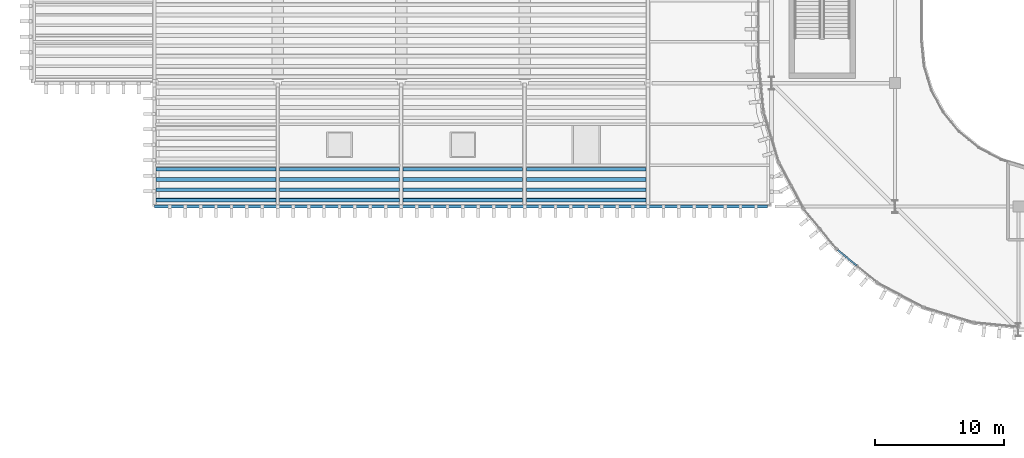
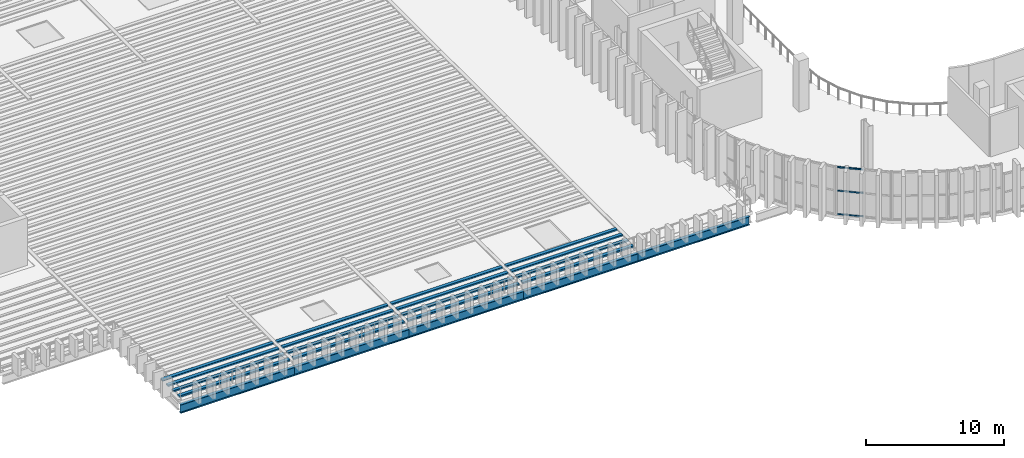
# One storey, part 6 of 92: 19 members, 5 beams, 1 element without a shape of its own.
"""IFC4 building model written with IfcOpenShell, lengths in metres."""

import ifcopenshell
import ifcopenshell.guid

model = None  # the IFC model being written
_history = None  # IfcOwnerHistory: only IFC2X3 demands one
_inside = {}  # id of a spatial element -> (the spatial element, [elements in it])
_under = {}  # id of a project, library or spatial element -> (it, [spatial elements below it])
_declared = {}  # id of a project -> (the project, [libraries it declares])
_typed = {}  # id of a type object -> (the type object, [elements of that type])
_made_of = {}  # id of a material, layer set ... -> (it, [elements and type objects made of it])


def new_model(schema):
    """Start an empty IFC model of exactly this schema.

    Asked for "IFC4X3", IfcOpenShell would pick the latest addendum, in which some entities
    have other attributes; the version numbers below select the first issue.
    IFC2X3 requires an IfcOwnerHistory on every rooted entity: one is made here for all.
    """
    global model, _history
    if schema == "IFC4X3":
        model = ifcopenshell.file(schema_version=(4, 3, 0, 0))
    else:
        model = ifcopenshell.file(schema=schema)
    _inside.clear()
    _under.clear()
    _declared.clear()
    _typed.clear()
    _made_of.clear()
    _history = None
    if model.schema == "IFC2X3":
        org = make("IfcOrganization", Name="unknown")
        user = make(
            "IfcPersonAndOrganization",
            ThePerson=make("IfcPerson", FamilyName="unknown"),
            TheOrganization=org,
        )
        app = make(
            "IfcApplication",
            ApplicationDeveloper=org,
            Version="unknown",
            ApplicationFullName="unknown",
            ApplicationIdentifier="unknown",
        )
        _history = make(
            "IfcOwnerHistory",
            OwningUser=user,
            OwningApplication=app,
            ChangeAction="ADDED",
            CreationDate=0,
        )
    return model


def make(cls, **values):
    """One entity of the class cls with the attributes given. An attribute that is None is left unset."""
    return model.create_entity(
        cls, **{name: value for name, value in values.items() if value is not None}
    )


def rooted(cls, **values):
    """An entity with a GlobalId (a new one), such as an element, a storey or a relation."""
    return make(cls, GlobalId=ifcopenshell.guid.new(), OwnerHistory=_history, **values)


def si_unit(unit_type, name, prefix=None):
    """IfcSIUnit, for example si_unit("LENGTHUNIT", "METRE", prefix="MILLI")."""
    return make("IfcSIUnit", UnitType=unit_type, Prefix=prefix, Name=name)


def assignment(units):
    """IfcUnitAssignment: the units of a project."""
    return None if units is None else make("IfcUnitAssignment", Units=units)


def point(xyz):
    """IfcCartesianPoint."""
    return None if xyz is None else make("IfcCartesianPoint", Coordinates=xyz)


def direction(xyz):
    """IfcDirection."""
    return None if xyz is None else make("IfcDirection", DirectionRatios=xyz)


def frame(location, z_axis=None, x_axis=None):
    """IfcAxis2Placement3D, a coordinate frame: its origin and axes. An axis left out is left unset."""
    return make(
        "IfcAxis2Placement3D",
        Location=point(location),
        Axis=direction(z_axis),
        RefDirection=direction(x_axis),
    )


def frame_2d(location, x_axis=None):
    """IfcAxis2Placement2D, a coordinate frame in the plane: its origin and x axis."""
    return make(
        "IfcAxis2Placement2D", Location=point(location), RefDirection=direction(x_axis)
    )


def origin():
    """The frame at (0, 0, 0) with its axes left unset."""
    return frame((0.0, 0.0, 0.0))


def origin_2d():
    """The frame at (0, 0) in the plane with its x axis left unset."""
    return frame_2d((0.0, 0.0))


def place(relative_to, where):
    """IfcLocalPlacement: puts the frame where relative to a parent placement (None: the world)."""
    return make(
        "IfcLocalPlacement", PlacementRelTo=relative_to, RelativePlacement=where
    )


def context(
    kind, dimensions, precision=None, world=None, true_north=None, identifier=None
):
    """IfcGeometricRepresentationContext, for example the 3D "Model" context."""
    return make(
        "IfcGeometricRepresentationContext",
        ContextIdentifier=identifier,
        ContextType=kind,
        CoordinateSpaceDimension=dimensions,
        Precision=precision,
        WorldCoordinateSystem=world,
        TrueNorth=true_north,
    )


def subcontext(parent, identifier, kind, view, scale=None):
    """IfcGeometricRepresentationSubContext, for example "Body" below "Model"."""
    return make(
        "IfcGeometricRepresentationSubContext",
        ContextIdentifier=identifier,
        ContextType=kind,
        ParentContext=parent,
        TargetScale=scale,
        TargetView=view,
    )


def project(units=None, contexts=None):
    """IfcProject with its units and contexts."""
    return rooted(
        "IfcProject",
        Name="project",
        RepresentationContexts=contexts,
        UnitsInContext=assignment(units),
    )


def spatial(cls, under=None, at=None, **own):
    """A site, building, storey or space (cls), placed at a placement, below another one or the project."""
    s = rooted(cls, ObjectPlacement=at, **own)
    if under is not None:
        _under.setdefault(under.id(), (under, []))[1].append(s)
    return s


def profile(cls, at=None, kind="AREA", **sizes):
    """A parametric profile (cls). Its sizes go by their IFC names, for example OverallWidth=200.0."""
    return make(cls, ProfileType=kind, Position=at, **sizes)


def rectangle(**sizes):
    """IfcRectangleProfileDef."""
    return profile("IfcRectangleProfileDef", **sizes)


def hollow_rectangle(**sizes):
    """IfcRectangleHollowProfileDef."""
    return profile("IfcRectangleHollowProfileDef", **sizes)


def i_section(**sizes):
    """IfcIShapeProfileDef."""
    return profile("IfcIShapeProfileDef", **sizes)


def extrude(swept, where, along, depth):
    """IfcExtrudedAreaSolid: the profile swept, set in the frame where, extruded along a direction by depth."""
    return make(
        "IfcExtrudedAreaSolid",
        SweptArea=swept,
        Position=where,
        ExtrudedDirection=direction(along),
        Depth=depth,
    )


def shape(context_of_items, identifier, shape_type, items):
    """IfcShapeRepresentation: the items that make up one representation, for example the "Body"."""
    return make(
        "IfcShapeRepresentation",
        ContextOfItems=context_of_items,
        RepresentationIdentifier=identifier,
        RepresentationType=shape_type,
        Items=items,
    )


def material(Name=None, Category=None):
    """IfcMaterial."""
    return make("IfcMaterial", Name=Name, Category=Category)


def layer(
    of_material, thickness, ventilated=None, Name=None, Category=None, Priority=None
):
    """IfcMaterialLayer: one layer of a wall or slab, of a material (None: an air gap)."""
    return make(
        "IfcMaterialLayer",
        Material=of_material,
        LayerThickness=thickness,
        IsVentilated=ventilated,
        Name=Name,
        Category=Category,
        Priority=Priority,
    )


def layer_set(layers, Name=None):
    """IfcMaterialLayerSet."""
    return make("IfcMaterialLayerSet", MaterialLayers=layers, LayerSetName=Name)


def material_profile(
    of_material, cross_section, Name=None, Category=None, Priority=None
):
    """IfcMaterialProfile: a cross section and its material."""
    return make(
        "IfcMaterialProfile",
        Name=Name,
        Material=of_material,
        Profile=cross_section,
        Priority=Priority,
        Category=Category,
    )


def profile_set(profiles, Name=None, composite=None):
    """IfcMaterialProfileSet."""
    return make(
        "IfcMaterialProfileSet",
        Name=Name,
        MaterialProfiles=profiles,
        CompositeProfile=composite,
    )


def made_of(thing, what):
    """Note that an element or type object is made of a material, layer set ...; save() writes the relation."""
    if what is not None:
        _made_of.setdefault(what.id(), (what, []))[1].append(thing)
    return thing


def type_object(cls, material=None, **own):
    """A type object (cls), such as IfcWallType, which elements share."""
    return made_of(rooted(cls, **own), material)


def element(
    cls,
    number,
    at=None,
    inside=None,
    cuts=None,
    type_object=None,
    material=None,
    context=None,
    identifier="Body",
    shape_type=None,
    held_by="IfcProductDefinitionShape",
    body=None,
    shapes=None,
    **own,
):
    """One element of the class cls, such as IfcWall. Its Tag is "e" and its number.

    at: its placement. inside: the storey or other place that contains it. cuts: it is an
    opening in that element (IfcRelVoidsElement). A single representation is given by context,
    identifier, shape_type and body (its items); several are given by shapes. held_by: the class
    of the entity that holds the representations. save() writes the other relations.
    """
    e = rooted(cls, Tag="e%d" % number, ObjectPlacement=at, **own)
    if body is not None:
        shapes = [shape(context, identifier, shape_type, body)]
    if shapes is not None:
        e.Representation = make(held_by, Representations=shapes)
    if inside is not None:
        _inside.setdefault(inside.id(), (inside, []))[1].append(e)
    if cuts is not None:
        rooted(
            "IfcRelVoidsElement", RelatingBuildingElement=cuts, RelatedOpeningElement=e
        )
    if type_object is not None:
        _typed.setdefault(type_object.id(), (type_object, []))[1].append(e)
    return made_of(e, material)


def aggregate(whole, parts):
    """IfcRelAggregates: a whole, such as a stair, and the parts it consists of."""
    return rooted("IfcRelAggregates", RelatingObject=whole, RelatedObjects=parts)


def save(model, path):
    """Write the relations noted so far, then the file.

    IfcRelAggregates (storeys below a building ...), IfcRelContainedInSpatialStructure (elements
    in a storey), IfcRelDefinesByType, IfcRelAssociatesMaterial and IfcRelDeclares: one each for
    every whole, place, type object, material and project.
    """
    for whole, parts in _under.values():
        aggregate(whole, parts)
    for where, things in _inside.values():
        rooted(
            "IfcRelContainedInSpatialStructure",
            RelatedElements=things,
            RelatingStructure=where,
        )
    for kind, things in _typed.values():
        rooted("IfcRelDefinesByType", RelatedObjects=things, RelatingType=kind)
    for what, things in _made_of.values():
        rooted("IfcRelAssociatesMaterial", RelatedObjects=things, RelatingMaterial=what)
    for by, libraries in _declared.values():
        rooted("IfcRelDeclares", RelatingContext=by, RelatedDefinitions=libraries)
    model.write(path)


model = new_model("IFC4")

# Units and contexts
model_context = context("Model", 3, precision=1e-05, world=origin(), true_north=direction((0.0, 1.0)))
body_context = subcontext(model_context, "Body", "Model", "MODEL_VIEW")
ifc_project = project(units=[si_unit("LENGTHUNIT", "METRE"), si_unit("AREAUNIT", "SQUARE_METRE"), si_unit("VOLUMEUNIT", "CUBIC_METRE"), si_unit("PLANEANGLEUNIT", "RADIAN"), si_unit("MASSUNIT", "GRAM", prefix="KILO")], contexts=[model_context])

# Site, building, storey
site_placement = place(None, origin())
site = spatial("IfcSite", under=ifc_project, at=site_placement, CompositionType="ELEMENT")
building_placement = place(site_placement, origin())
building = spatial("IfcBuilding", under=site, at=building_placement, Name="Caelomonte Colonnade Arena", CompositionType="ELEMENT")
storey_placement = place(building_placement, frame((0.0, 0.0, 9.60009765625)))
storey = spatial("IfcBuildingStorey", under=building, at=storey_placement, Name="L02", CompositionType="ELEMENT", Elevation=9.60009765625)

# Curtain wall, members
ifc_material_1 = material(Name="Bronze anodised aluminium and low-E glazing", Category="aluminium")
ifc_layer = layer(ifc_material_1, 0.179931640625)
ifc_layer_set = layer_set([ifc_layer], Name="Bronze anodised aluminium and low-E glazing")
curtain_wall_type = type_object("IfcCurtainWallType", Name="ENV-CW-CW-L02-44-42", PredefinedType="USERDEFINED", material=ifc_layer_set)
curtain_wall_placement = place(storey_placement, origin())
curtain_wall = element("IfcCurtainWall", 1, at=curtain_wall_placement, inside=storey, type_object=curtain_wall_type, Name="L02 unitized curtain wall CW-L02-0643-0242", ObjectType="UNITIZED CURTAIN WALL", PredefinedType="USERDEFINED")
ifc_material_2 = material(Name="Bronze anodised aluminium AA6063-T6", Category="aluminium")
ifc_material_profile_1 = material_profile(ifc_material_2, rectangle(XDim=0.070068359375, YDim=0.139892578125, at=origin_2d()), Name="CWT-70X140")
ifc_profile_set_1 = profile_set([ifc_material_profile_1], Name="Bronze anodised aluminium AA6063-T6")
member_type_1 = type_object("IfcMemberType", Name="ENV-CW-TRAN1", PredefinedType="USERDEFINED", material=ifc_profile_set_1)
member_1_placement = place(storey_placement, frame((62.75, 25.420166015625, 0.034912109375), z_axis=(0.772989936128, -0.634418283662, 0.0), x_axis=(0.0, 0.0, 1.0)))
member_1 = element("IfcMember", 2, at=member_1_placement, type_object=member_type_1, Name="CW-L02-44-42 transom 1.1", ObjectType="TRANSOM", PredefinedType="USERDEFINED", context=body_context, shape_type="SweptSolid", body=[
    extrude(rectangle(XDim=0.070068359375, YDim=0.139892578125, at=origin_2d()), origin(), (0.0, 0.0, 1.0), 1.913330078125),
])
member_2_placement = place(storey_placement, frame((62.75, 25.420166015625, 2.10986328125), z_axis=(0.772989936128, -0.634418283662, 0.0), x_axis=(0.0, 0.0, 1.0)))
member_2 = element("IfcMember", 3, at=member_2_placement, type_object=member_type_1, Name="CW-L02-44-42 transom 1.2", ObjectType="TRANSOM", PredefinedType="USERDEFINED", context=body_context, shape_type="SweptSolid", body=[
    extrude(rectangle(XDim=0.070068359375, YDim=0.139892578125, at=origin_2d()), origin(), (0.0, 0.0, 1.0), 1.913330078125),
])
member_3_placement = place(storey_placement, frame((62.75, 25.420166015625, 4.184814453125), z_axis=(0.772989936128, -0.634418283662, 0.0), x_axis=(0.0, 0.0, 1.0)))
member_3 = element("IfcMember", 4, at=member_3_placement, type_object=member_type_1, Name="CW-L02-44-42 transom 1.3", ObjectType="TRANSOM", PredefinedType="USERDEFINED", context=body_context, shape_type="SweptSolid", body=[
    extrude(rectangle(XDim=0.070068359375, YDim=0.139892578125, at=origin_2d()), origin(), (0.0, 0.0, 1.0), 1.913330078125),
])
aggregate(curtain_wall, [member_1, member_2, member_3])

# Beams
ifc_material_3 = material(Name="Wide-flange steel ASTM A992 Grade 50", Category="steel")
ifc_material_profile_2 = material_profile(ifc_material_3, i_section(OverallWidth=0.2666015625, OverallDepth=0.761962890625, WebThickness=0.014404296875, FlangeThickness=0.021484375, FilletRadius=0.0166015625, at=origin_2d()), Name="W30X116")
ifc_profile_set_2 = profile_set([ifc_material_profile_2], Name="Wide-flange steel ASTM A992 Grade 50")
beam_type = type_object("IfcBeamType", Name="STR-BM-GIRD30", PredefinedType="BEAM", material=ifc_profile_set_2)
beam_1_placement = place(storey_placement, frame((9.605712890625, 28.800048828125, -0.6611328125), z_axis=(1.0, 0.0, 0.0), x_axis=(0.0, 1.0, 0.0)))
element("IfcBeam", 5, at=beam_1_placement, inside=storey, type_object=beam_type, Name="L02 girder BMX-L02-0096-0288", PredefinedType="BEAM", context=body_context, shape_type="SweptSolid", body=[
    extrude(i_section(OverallWidth=0.2666015625, OverallDepth=0.761962890625, WebThickness=0.014404296875, FlangeThickness=0.021484375, FilletRadius=0.0166015625, at=origin_2d()), origin(), (0.0, 0.0, 1.0), 9.588623046875),
])
beam_2_placement = place(storey_placement, frame((19.20556640625, 28.800048828125, -0.6611328125), z_axis=(1.0, 0.0, 0.0), x_axis=(0.0, 1.0, 0.0)))
element("IfcBeam", 6, at=beam_2_placement, inside=storey, type_object=beam_type, Name="L02 girder BMX-L02-0192-0288", PredefinedType="BEAM", context=body_context, shape_type="SweptSolid", body=[
    extrude(i_section(OverallWidth=0.2666015625, OverallDepth=0.761962890625, WebThickness=0.014404296875, FlangeThickness=0.021484375, FilletRadius=0.0166015625, at=origin_2d()), origin(), (0.0, 0.0, 1.0), 9.5888671875),
])
beam_3_placement = place(storey_placement, frame((28.8056640625, 28.800048828125, -0.6611328125), z_axis=(1.0, 0.0, 0.0), x_axis=(0.0, 1.0, 0.0)))
element("IfcBeam", 7, at=beam_3_placement, inside=storey, type_object=beam_type, Name="L02 girder BMX-L02-0288-0288", PredefinedType="BEAM", context=body_context, shape_type="SweptSolid", body=[
    extrude(i_section(OverallWidth=0.2666015625, OverallDepth=0.761962890625, WebThickness=0.014404296875, FlangeThickness=0.021484375, FilletRadius=0.0166015625, at=origin_2d()), origin(), (0.0, 0.0, 1.0), 9.588623046875),
])
beam_4_placement = place(storey_placement, frame((38.405517578125, 28.800048828125, -0.6611328125), z_axis=(1.0, 0.0, 0.0), x_axis=(0.0, 1.0, 0.0)))
element("IfcBeam", 8, at=beam_4_placement, inside=storey, type_object=beam_type, Name="L02 girder BMX-L02-0384-0288", PredefinedType="BEAM", context=body_context, shape_type="SweptSolid", body=[
    extrude(i_section(OverallWidth=0.2666015625, OverallDepth=0.761962890625, WebThickness=0.014404296875, FlangeThickness=0.021484375, FilletRadius=0.0166015625, at=origin_2d()), origin(), (0.0, 0.0, 1.0), 9.5888671875),
])
beam_5_placement = place(storey_placement, frame((48.005615234375, 28.800048828125, -0.6611328125), z_axis=(1.0, 0.0, 0.0), x_axis=(0.0, 1.0, 0.0)))
element("IfcBeam", 9, at=beam_5_placement, inside=storey, type_object=beam_type, Name="L02 girder BMX-L02-0480-0288", PredefinedType="BEAM", context=body_context, shape_type="SweptSolid", body=[
    extrude(i_section(OverallWidth=0.2666015625, OverallDepth=0.761962890625, WebThickness=0.014404296875, FlangeThickness=0.021484375, FilletRadius=0.0166015625, at=origin_2d()), origin(), (0.0, 0.0, 1.0), 9.302490234375),
])

# Members
ifc_material_4 = material(Name="Steel ASTM A500 Grade C", Category="steel")
ifc_material_profile_3 = material_profile(ifc_material_4, hollow_rectangle(XDim=0.300048828125, YDim=0.14990234375, WallThickness=0.008056640625, InnerFilletRadius=0.008056640625, OuterFilletRadius=0.01611328125, at=origin_2d()), Name="HSS300X150X8")
ifc_profile_set_3 = profile_set([ifc_material_profile_3], Name="Steel ASTM A500 Grade C")
member_type_2 = type_object("IfcMemberType", Name="STR-LW-PAR1", PredefinedType="STRUT", material=ifc_profile_set_3)
member_4_placement = place(storey_placement, frame((9.74609375, 29.300048828125, 0.074951171875), z_axis=(1.0, 0.0, 0.0), x_axis=(0.0, 1.0, 0.0)))
element("IfcMember", 10, at=member_4_placement, inside=storey, type_object=member_type_2, Name="Planted lawn parterre planter bar 1", PredefinedType="STRUT", context=body_context, shape_type="SweptSolid", body=[
    extrude(hollow_rectangle(XDim=0.300048828125, YDim=0.14990234375, WallThickness=0.008056640625, InnerFilletRadius=0.008056640625, OuterFilletRadius=0.01611328125, at=origin_2d()), origin(), (0.0, 0.0, 1.0), 9.307861328125),
])
member_5_placement = place(storey_placement, frame((19.345947265625, 29.300048828125, 0.074951171875), z_axis=(1.0, 0.0, 0.0), x_axis=(0.0, 1.0, 0.0)))
element("IfcMember", 11, at=member_5_placement, inside=storey, type_object=member_type_2, Name="Planted lawn parterre planter bar 2", PredefinedType="STRUT", context=body_context, shape_type="SweptSolid", body=[
    extrude(hollow_rectangle(XDim=0.300048828125, YDim=0.14990234375, WallThickness=0.008056640625, InnerFilletRadius=0.008056640625, OuterFilletRadius=0.01611328125, at=origin_2d()), origin(), (0.0, 0.0, 1.0), 9.30810546875),
])
member_6_placement = place(storey_placement, frame((28.946044921875, 29.300048828125, 0.074951171875), z_axis=(1.0, 0.0, 0.0), x_axis=(0.0, 1.0, 0.0)))
element("IfcMember", 12, at=member_6_placement, inside=storey, type_object=member_type_2, Name="Planted lawn parterre planter bar 3", PredefinedType="STRUT", context=body_context, shape_type="SweptSolid", body=[
    extrude(hollow_rectangle(XDim=0.300048828125, YDim=0.14990234375, WallThickness=0.008056640625, InnerFilletRadius=0.008056640625, OuterFilletRadius=0.01611328125, at=origin_2d()), origin(), (0.0, 0.0, 1.0), 9.307861328125),
])
member_7_placement = place(storey_placement, frame((38.5458984375, 29.300048828125, 0.074951171875), z_axis=(1.0, 0.0, 0.0), x_axis=(0.0, 1.0, 0.0)))
element("IfcMember", 13, at=member_7_placement, inside=storey, type_object=member_type_2, Name="Planted lawn parterre planter bar 4", PredefinedType="STRUT", context=body_context, shape_type="SweptSolid", body=[
    extrude(hollow_rectangle(XDim=0.300048828125, YDim=0.14990234375, WallThickness=0.008056640625, InnerFilletRadius=0.008056640625, OuterFilletRadius=0.01611328125, at=origin_2d()), origin(), (0.0, 0.0, 1.0), 9.30810546875),
])
member_8_placement = place(storey_placement, frame((9.74609375, 30.10009765625, 0.074951171875), z_axis=(1.0, 0.0, 0.0), x_axis=(0.0, 1.0, 0.0)))
element("IfcMember", 14, at=member_8_placement, inside=storey, type_object=member_type_2, Name="Planted lawn parterre planter bar 5", PredefinedType="STRUT", context=body_context, shape_type="SweptSolid", body=[
    extrude(hollow_rectangle(XDim=0.300048828125, YDim=0.14990234375, WallThickness=0.008056640625, InnerFilletRadius=0.008056640625, OuterFilletRadius=0.01611328125, at=origin_2d()), origin(), (0.0, 0.0, 1.0), 9.307861328125),
])
member_9_placement = place(storey_placement, frame((19.345947265625, 30.10009765625, 0.074951171875), z_axis=(1.0, 0.0, 0.0), x_axis=(0.0, 1.0, 0.0)))
element("IfcMember", 15, at=member_9_placement, inside=storey, type_object=member_type_2, Name="Planted lawn parterre planter bar 6", PredefinedType="STRUT", context=body_context, shape_type="SweptSolid", body=[
    extrude(hollow_rectangle(XDim=0.300048828125, YDim=0.14990234375, WallThickness=0.008056640625, InnerFilletRadius=0.008056640625, OuterFilletRadius=0.01611328125, at=origin_2d()), origin(), (0.0, 0.0, 1.0), 9.30810546875),
])
member_10_placement = place(storey_placement, frame((28.946044921875, 30.10009765625, 0.074951171875), z_axis=(1.0, 0.0, 0.0), x_axis=(0.0, 1.0, 0.0)))
element("IfcMember", 16, at=member_10_placement, inside=storey, type_object=member_type_2, Name="Planted lawn parterre planter bar 7", PredefinedType="STRUT", context=body_context, shape_type="SweptSolid", body=[
    extrude(hollow_rectangle(XDim=0.300048828125, YDim=0.14990234375, WallThickness=0.008056640625, InnerFilletRadius=0.008056640625, OuterFilletRadius=0.01611328125, at=origin_2d()), origin(), (0.0, 0.0, 1.0), 9.307861328125),
])
member_11_placement = place(storey_placement, frame((38.5458984375, 30.10009765625, 0.074951171875), z_axis=(1.0, 0.0, 0.0), x_axis=(0.0, 1.0, 0.0)))
element("IfcMember", 17, at=member_11_placement, inside=storey, type_object=member_type_2, Name="Planted lawn parterre planter bar 8", PredefinedType="STRUT", context=body_context, shape_type="SweptSolid", body=[
    extrude(hollow_rectangle(XDim=0.300048828125, YDim=0.14990234375, WallThickness=0.008056640625, InnerFilletRadius=0.008056640625, OuterFilletRadius=0.01611328125, at=origin_2d()), origin(), (0.0, 0.0, 1.0), 9.30810546875),
])
member_12_placement = place(storey_placement, frame((9.74609375, 30.89990234375, 0.074951171875), z_axis=(1.0, 0.0, 0.0), x_axis=(0.0, 1.0, 0.0)))
element("IfcMember", 18, at=member_12_placement, inside=storey, type_object=member_type_2, Name="Planted lawn parterre planter bar 9", PredefinedType="STRUT", context=body_context, shape_type="SweptSolid", body=[
    extrude(hollow_rectangle(XDim=0.300048828125, YDim=0.14990234375, WallThickness=0.008056640625, InnerFilletRadius=0.008056640625, OuterFilletRadius=0.01611328125, at=origin_2d()), origin(), (0.0, 0.0, 1.0), 9.307861328125),
])
member_13_placement = place(storey_placement, frame((19.345947265625, 30.89990234375, 0.074951171875), z_axis=(1.0, 0.0, 0.0), x_axis=(0.0, 1.0, 0.0)))
element("IfcMember", 19, at=member_13_placement, inside=storey, type_object=member_type_2, Name="Planted lawn parterre planter bar 10", PredefinedType="STRUT", context=body_context, shape_type="SweptSolid", body=[
    extrude(hollow_rectangle(XDim=0.300048828125, YDim=0.14990234375, WallThickness=0.008056640625, InnerFilletRadius=0.008056640625, OuterFilletRadius=0.01611328125, at=origin_2d()), origin(), (0.0, 0.0, 1.0), 9.30810546875),
])
member_14_placement = place(storey_placement, frame((28.946044921875, 30.89990234375, 0.074951171875), z_axis=(1.0, 0.0, 0.0), x_axis=(0.0, 1.0, 0.0)))
element("IfcMember", 20, at=member_14_placement, inside=storey, type_object=member_type_2, Name="Planted lawn parterre planter bar 11", PredefinedType="STRUT", context=body_context, shape_type="SweptSolid", body=[
    extrude(hollow_rectangle(XDim=0.300048828125, YDim=0.14990234375, WallThickness=0.008056640625, InnerFilletRadius=0.008056640625, OuterFilletRadius=0.01611328125, at=origin_2d()), origin(), (0.0, 0.0, 1.0), 9.307861328125),
])
member_15_placement = place(storey_placement, frame((38.5458984375, 30.89990234375, 0.074951171875), z_axis=(1.0, 0.0, 0.0), x_axis=(0.0, 1.0, 0.0)))
element("IfcMember", 21, at=member_15_placement, inside=storey, type_object=member_type_2, Name="Planted lawn parterre planter bar 12", PredefinedType="STRUT", context=body_context, shape_type="SweptSolid", body=[
    extrude(hollow_rectangle(XDim=0.300048828125, YDim=0.14990234375, WallThickness=0.008056640625, InnerFilletRadius=0.008056640625, OuterFilletRadius=0.01611328125, at=origin_2d()), origin(), (0.0, 0.0, 1.0), 9.30810546875),
])
member_16_placement = place(storey_placement, frame((9.74609375, 31.699951171875, 0.074951171875), z_axis=(1.0, 0.0, 0.0), x_axis=(0.0, 1.0, 0.0)))
element("IfcMember", 22, at=member_16_placement, inside=storey, type_object=member_type_2, Name="Planted lawn parterre planter bar 13", PredefinedType="STRUT", context=body_context, shape_type="SweptSolid", body=[
    extrude(hollow_rectangle(XDim=0.300048828125, YDim=0.14990234375, WallThickness=0.008056640625, InnerFilletRadius=0.008056640625, OuterFilletRadius=0.01611328125, at=origin_2d()), origin(), (0.0, 0.0, 1.0), 9.307861328125),
])
member_17_placement = place(storey_placement, frame((19.345947265625, 31.699951171875, 0.074951171875), z_axis=(1.0, 0.0, 0.0), x_axis=(0.0, 1.0, 0.0)))
element("IfcMember", 23, at=member_17_placement, inside=storey, type_object=member_type_2, Name="Planted lawn parterre planter bar 14", PredefinedType="STRUT", context=body_context, shape_type="SweptSolid", body=[
    extrude(hollow_rectangle(XDim=0.300048828125, YDim=0.14990234375, WallThickness=0.008056640625, InnerFilletRadius=0.008056640625, OuterFilletRadius=0.01611328125, at=origin_2d()), origin(), (0.0, 0.0, 1.0), 9.30810546875),
])
member_18_placement = place(storey_placement, frame((28.946044921875, 31.699951171875, 0.074951171875), z_axis=(1.0, 0.0, 0.0), x_axis=(0.0, 1.0, 0.0)))
element("IfcMember", 24, at=member_18_placement, inside=storey, type_object=member_type_2, Name="Planted lawn parterre planter bar 15", PredefinedType="STRUT", context=body_context, shape_type="SweptSolid", body=[
    extrude(hollow_rectangle(XDim=0.300048828125, YDim=0.14990234375, WallThickness=0.008056640625, InnerFilletRadius=0.008056640625, OuterFilletRadius=0.01611328125, at=origin_2d()), origin(), (0.0, 0.0, 1.0), 9.307861328125),
])
member_19_placement = place(storey_placement, frame((38.5458984375, 31.699951171875, 0.074951171875), z_axis=(1.0, 0.0, 0.0), x_axis=(0.0, 1.0, 0.0)))
element("IfcMember", 25, at=member_19_placement, inside=storey, type_object=member_type_2, Name="Planted lawn parterre planter bar 16", PredefinedType="STRUT", context=body_context, shape_type="SweptSolid", body=[
    extrude(hollow_rectangle(XDim=0.300048828125, YDim=0.14990234375, WallThickness=0.008056640625, InnerFilletRadius=0.008056640625, OuterFilletRadius=0.01611328125, at=origin_2d()), origin(), (0.0, 0.0, 1.0), 9.30810546875),
])

save(model, "model.ifc")
